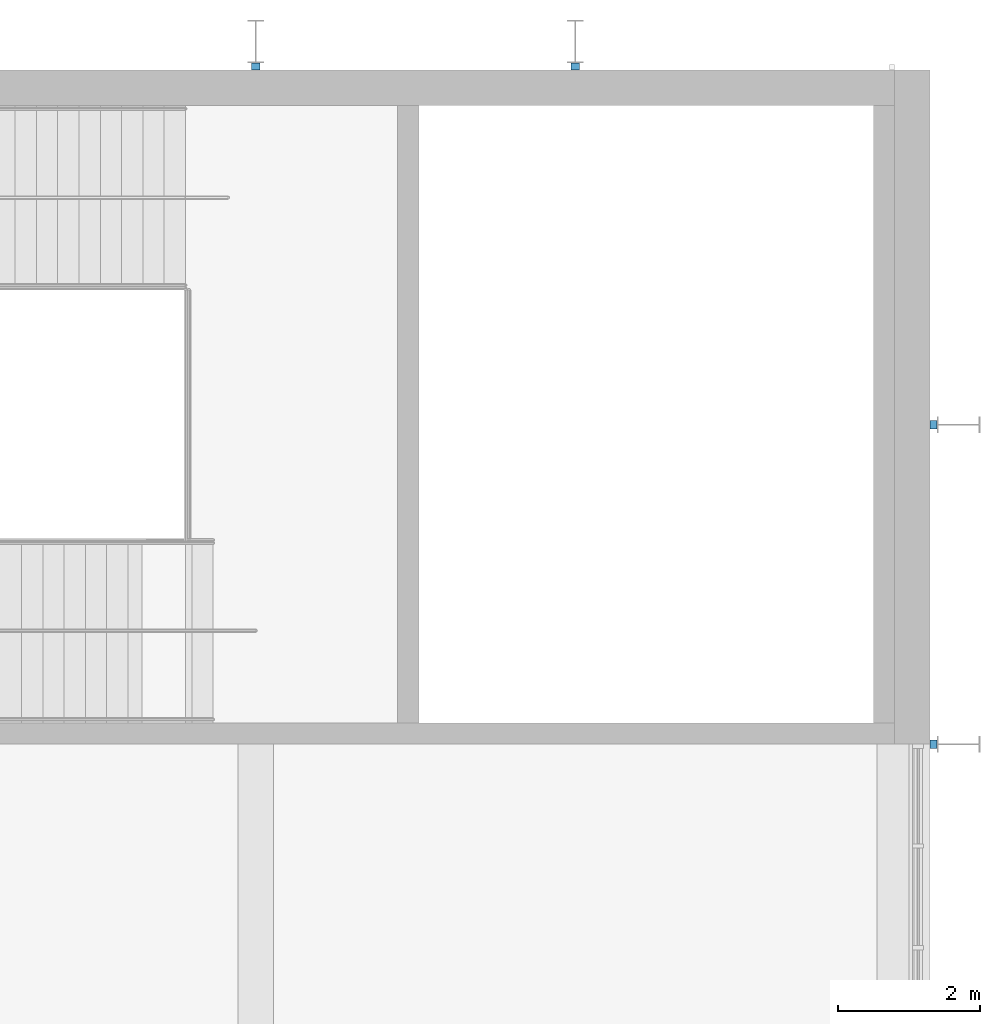
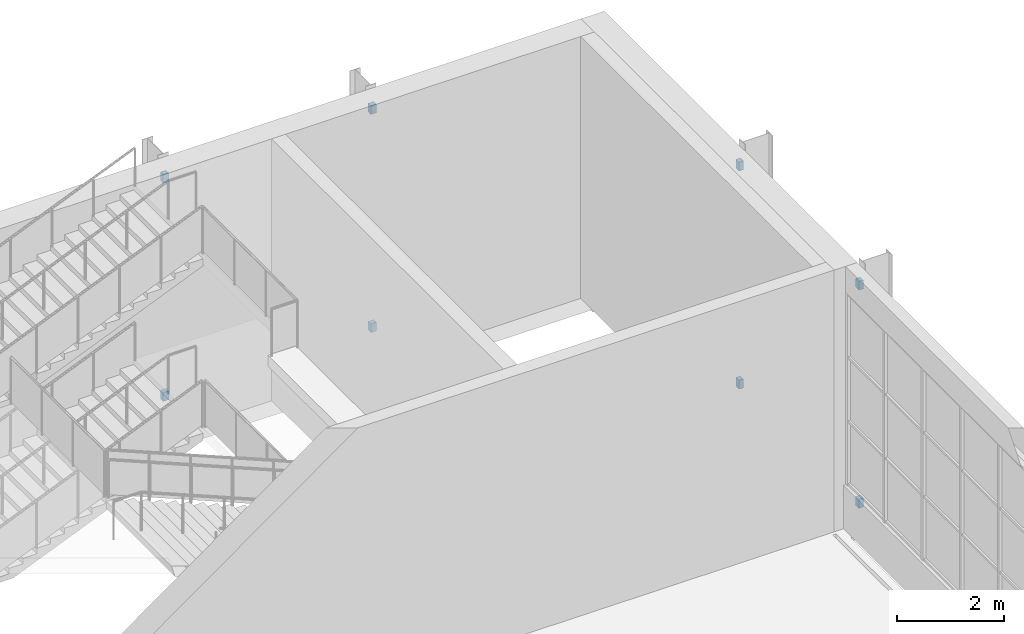
# One storey, part 66 of 89: 8 discrete accessories.
"""IFC4 building model written with IfcOpenShell, lengths in metres."""

import ifcopenshell
import ifcopenshell.guid

model = None  # the IFC model being written
_history = None  # IfcOwnerHistory: only IFC2X3 demands one
_inside = {}  # id of a spatial element -> (the spatial element, [elements in it])
_under = {}  # id of a project, library or spatial element -> (it, [spatial elements below it])
_declared = {}  # id of a project -> (the project, [libraries it declares])
_typed = {}  # id of a type object -> (the type object, [elements of that type])
_made_of = {}  # id of a material, layer set ... -> (it, [elements and type objects made of it])


def new_model(schema):
    """Start an empty IFC model of exactly this schema.

    Asked for "IFC4X3", IfcOpenShell would pick the latest addendum, in which some entities
    have other attributes; the version numbers below select the first issue.
    IFC2X3 requires an IfcOwnerHistory on every rooted entity: one is made here for all.
    """
    global model, _history
    if schema == "IFC4X3":
        model = ifcopenshell.file(schema_version=(4, 3, 0, 0))
    else:
        model = ifcopenshell.file(schema=schema)
    _inside.clear()
    _under.clear()
    _declared.clear()
    _typed.clear()
    _made_of.clear()
    _history = None
    if model.schema == "IFC2X3":
        org = make("IfcOrganization", Name="unknown")
        user = make(
            "IfcPersonAndOrganization",
            ThePerson=make("IfcPerson", FamilyName="unknown"),
            TheOrganization=org,
        )
        app = make(
            "IfcApplication",
            ApplicationDeveloper=org,
            Version="unknown",
            ApplicationFullName="unknown",
            ApplicationIdentifier="unknown",
        )
        _history = make(
            "IfcOwnerHistory",
            OwningUser=user,
            OwningApplication=app,
            ChangeAction="ADDED",
            CreationDate=0,
        )
    return model


def make(cls, **values):
    """One entity of the class cls with the attributes given. An attribute that is None is left unset."""
    return model.create_entity(
        cls, **{name: value for name, value in values.items() if value is not None}
    )


def rooted(cls, **values):
    """An entity with a GlobalId (a new one), such as an element, a storey or a relation."""
    return make(cls, GlobalId=ifcopenshell.guid.new(), OwnerHistory=_history, **values)


def si_unit(unit_type, name, prefix=None):
    """IfcSIUnit, for example si_unit("LENGTHUNIT", "METRE", prefix="MILLI")."""
    return make("IfcSIUnit", UnitType=unit_type, Prefix=prefix, Name=name)


def assignment(units):
    """IfcUnitAssignment: the units of a project."""
    return None if units is None else make("IfcUnitAssignment", Units=units)


def point(xyz):
    """IfcCartesianPoint."""
    return None if xyz is None else make("IfcCartesianPoint", Coordinates=xyz)


def direction(xyz):
    """IfcDirection."""
    return None if xyz is None else make("IfcDirection", DirectionRatios=xyz)


def frame(location, z_axis=None, x_axis=None):
    """IfcAxis2Placement3D, a coordinate frame: its origin and axes. An axis left out is left unset."""
    return make(
        "IfcAxis2Placement3D",
        Location=point(location),
        Axis=direction(z_axis),
        RefDirection=direction(x_axis),
    )


def frame_2d(location, x_axis=None):
    """IfcAxis2Placement2D, a coordinate frame in the plane: its origin and x axis."""
    return make(
        "IfcAxis2Placement2D", Location=point(location), RefDirection=direction(x_axis)
    )


def origin():
    """The frame at (0, 0, 0) with its axes left unset."""
    return frame((0.0, 0.0, 0.0))


def origin_2d():
    """The frame at (0, 0) in the plane with its x axis left unset."""
    return frame_2d((0.0, 0.0))


def place(relative_to, where):
    """IfcLocalPlacement: puts the frame where relative to a parent placement (None: the world)."""
    return make(
        "IfcLocalPlacement", PlacementRelTo=relative_to, RelativePlacement=where
    )


def context(
    kind, dimensions, precision=None, world=None, true_north=None, identifier=None
):
    """IfcGeometricRepresentationContext, for example the 3D "Model" context."""
    return make(
        "IfcGeometricRepresentationContext",
        ContextIdentifier=identifier,
        ContextType=kind,
        CoordinateSpaceDimension=dimensions,
        Precision=precision,
        WorldCoordinateSystem=world,
        TrueNorth=true_north,
    )


def subcontext(parent, identifier, kind, view, scale=None):
    """IfcGeometricRepresentationSubContext, for example "Body" below "Model"."""
    return make(
        "IfcGeometricRepresentationSubContext",
        ContextIdentifier=identifier,
        ContextType=kind,
        ParentContext=parent,
        TargetScale=scale,
        TargetView=view,
    )


def project(units=None, contexts=None):
    """IfcProject with its units and contexts."""
    return rooted(
        "IfcProject",
        Name="project",
        RepresentationContexts=contexts,
        UnitsInContext=assignment(units),
    )


def spatial(cls, under=None, at=None, **own):
    """A site, building, storey or space (cls), placed at a placement, below another one or the project."""
    s = rooted(cls, ObjectPlacement=at, **own)
    if under is not None:
        _under.setdefault(under.id(), (under, []))[1].append(s)
    return s


def profile(cls, at=None, kind="AREA", **sizes):
    """A parametric profile (cls). Its sizes go by their IFC names, for example OverallWidth=200.0."""
    return make(cls, ProfileType=kind, Position=at, **sizes)


def rectangle(**sizes):
    """IfcRectangleProfileDef."""
    return profile("IfcRectangleProfileDef", **sizes)


def extrude(swept, where, along, depth):
    """IfcExtrudedAreaSolid: the profile swept, set in the frame where, extruded along a direction by depth."""
    return make(
        "IfcExtrudedAreaSolid",
        SweptArea=swept,
        Position=where,
        ExtrudedDirection=direction(along),
        Depth=depth,
    )


def shape(context_of_items, identifier, shape_type, items):
    """IfcShapeRepresentation: the items that make up one representation, for example the "Body"."""
    return make(
        "IfcShapeRepresentation",
        ContextOfItems=context_of_items,
        RepresentationIdentifier=identifier,
        RepresentationType=shape_type,
        Items=items,
    )


def material(Name=None, Category=None):
    """IfcMaterial."""
    return make("IfcMaterial", Name=Name, Category=Category)


def made_of(thing, what):
    """Note that an element or type object is made of a material, layer set ...; save() writes the relation."""
    if what is not None:
        _made_of.setdefault(what.id(), (what, []))[1].append(thing)
    return thing


def type_object(cls, material=None, **own):
    """A type object (cls), such as IfcWallType, which elements share."""
    return made_of(rooted(cls, **own), material)


def element(
    cls,
    number,
    at=None,
    inside=None,
    cuts=None,
    type_object=None,
    material=None,
    context=None,
    identifier="Body",
    shape_type=None,
    held_by="IfcProductDefinitionShape",
    body=None,
    shapes=None,
    **own,
):
    """One element of the class cls, such as IfcWall. Its Tag is "e" and its number.

    at: its placement. inside: the storey or other place that contains it. cuts: it is an
    opening in that element (IfcRelVoidsElement). A single representation is given by context,
    identifier, shape_type and body (its items); several are given by shapes. held_by: the class
    of the entity that holds the representations. save() writes the other relations.
    """
    e = rooted(cls, Tag="e%d" % number, ObjectPlacement=at, **own)
    if body is not None:
        shapes = [shape(context, identifier, shape_type, body)]
    if shapes is not None:
        e.Representation = make(held_by, Representations=shapes)
    if inside is not None:
        _inside.setdefault(inside.id(), (inside, []))[1].append(e)
    if cuts is not None:
        rooted(
            "IfcRelVoidsElement", RelatingBuildingElement=cuts, RelatedOpeningElement=e
        )
    if type_object is not None:
        _typed.setdefault(type_object.id(), (type_object, []))[1].append(e)
    return made_of(e, material)


def aggregate(whole, parts):
    """IfcRelAggregates: a whole, such as a stair, and the parts it consists of."""
    return rooted("IfcRelAggregates", RelatingObject=whole, RelatedObjects=parts)


def save(model, path):
    """Write the relations noted so far, then the file.

    IfcRelAggregates (storeys below a building ...), IfcRelContainedInSpatialStructure (elements
    in a storey), IfcRelDefinesByType, IfcRelAssociatesMaterial and IfcRelDeclares: one each for
    every whole, place, type object, material and project.
    """
    for whole, parts in _under.values():
        aggregate(whole, parts)
    for where, things in _inside.values():
        rooted(
            "IfcRelContainedInSpatialStructure",
            RelatedElements=things,
            RelatingStructure=where,
        )
    for kind, things in _typed.values():
        rooted("IfcRelDefinesByType", RelatedObjects=things, RelatingType=kind)
    for what, things in _made_of.values():
        rooted("IfcRelAssociatesMaterial", RelatedObjects=things, RelatingMaterial=what)
    for by, libraries in _declared.values():
        rooted("IfcRelDeclares", RelatingContext=by, RelatedDefinitions=libraries)
    model.write(path)


model = new_model("IFC4")

# Units and contexts
model_context = context("Model", 3, precision=1e-05, world=origin(), true_north=direction((0.0, 1.0)))
body_context = subcontext(model_context, "Body", "Model", "MODEL_VIEW")
ifc_project = project(units=[si_unit("LENGTHUNIT", "METRE"), si_unit("AREAUNIT", "SQUARE_METRE"), si_unit("VOLUMEUNIT", "CUBIC_METRE"), si_unit("PLANEANGLEUNIT", "RADIAN"), si_unit("MASSUNIT", "GRAM", prefix="KILO")], contexts=[model_context])

# Site, building, storey
site_placement = place(None, origin())
site = spatial("IfcSite", under=ifc_project, at=site_placement, CompositionType="ELEMENT")
building_placement = place(site_placement, origin())
building = spatial("IfcBuilding", under=site, at=building_placement, Name="Silverbay Arena", CompositionType="ELEMENT")
storey_placement = place(building_placement, frame((0.0, 0.0, 22.0)))
storey = spatial("IfcBuildingStorey", under=building, at=storey_placement, Name="L03", CompositionType="ELEMENT", Elevation=22.0)

# Discrete accessories
ifc_material = material(Name="Steel S355", Category="steel")
discrete_accessory_type = type_object("IfcDiscreteAccessoryType", Name="Steel bracket plate", PredefinedType="BRACKET", material=ifc_material)
for number, where, z_axis, x_axis, name in (
    (1, (207.550048828125, 135.0, 0.39990234375), (0.0, 0.0, 1.0), (1.0, 0.0, 0.0), "Fin bracket"),
    (2, (207.550048828125, 135.0, 5.39990234375), (0.0, 0.0, 1.0), (1.0, 0.0, 0.0), "Fin bracket"),
    (3, (207.550048828125, 139.5, 0.39990234375), (0.0, 0.0, 1.0), (1.0, 0.0, 0.0), "Fin bracket"),
    (4, (207.550048828125, 139.5, 5.39990234375), (0.0, 0.0, 1.0), (1.0, 0.0, 0.0), "Fin bracket"),
):
    element("IfcDiscreteAccessory", number, at=place(storey_placement, frame(where, z_axis=z_axis, x_axis=x_axis)), inside=storey, type_object=discrete_accessory_type, Name=name, PredefinedType="BRACKET", context=body_context, shape_type="SweptSolid", body=[
        extrude(rectangle(XDim=0.10009765625, YDim=0.1201171875, at=origin_2d()), origin(), (0.0, 0.0, 1.0), 0.199951171875),
    ])
for number, where, z_axis, x_axis, name in (
    (5, (198.0, 144.550048828125, 0.39990234375), (0.0, 0.0, 1.0), (1.0, 0.0, 0.0), "Fin bracket"),
    (6, (198.0, 144.550048828125, 5.39990234375), (0.0, 0.0, 1.0), (1.0, 0.0, 0.0), "Fin bracket"),
    (7, (202.5, 144.550048828125, 0.39990234375), (0.0, 0.0, 1.0), (1.0, 0.0, 0.0), "Fin bracket"),
    (8, (202.5, 144.550048828125, 5.39990234375), (0.0, 0.0, 1.0), (1.0, 0.0, 0.0), "Fin bracket"),
):
    element("IfcDiscreteAccessory", number, at=place(storey_placement, frame(where, z_axis=z_axis, x_axis=x_axis)), inside=storey, type_object=discrete_accessory_type, Name=name, PredefinedType="BRACKET", context=body_context, shape_type="SweptSolid", body=[
        extrude(rectangle(XDim=0.1201171875, YDim=0.10009765625, at=origin_2d()), origin(), (0.0, 0.0, 1.0), 0.199951171875),
    ])

save(model, "model.ifc")
